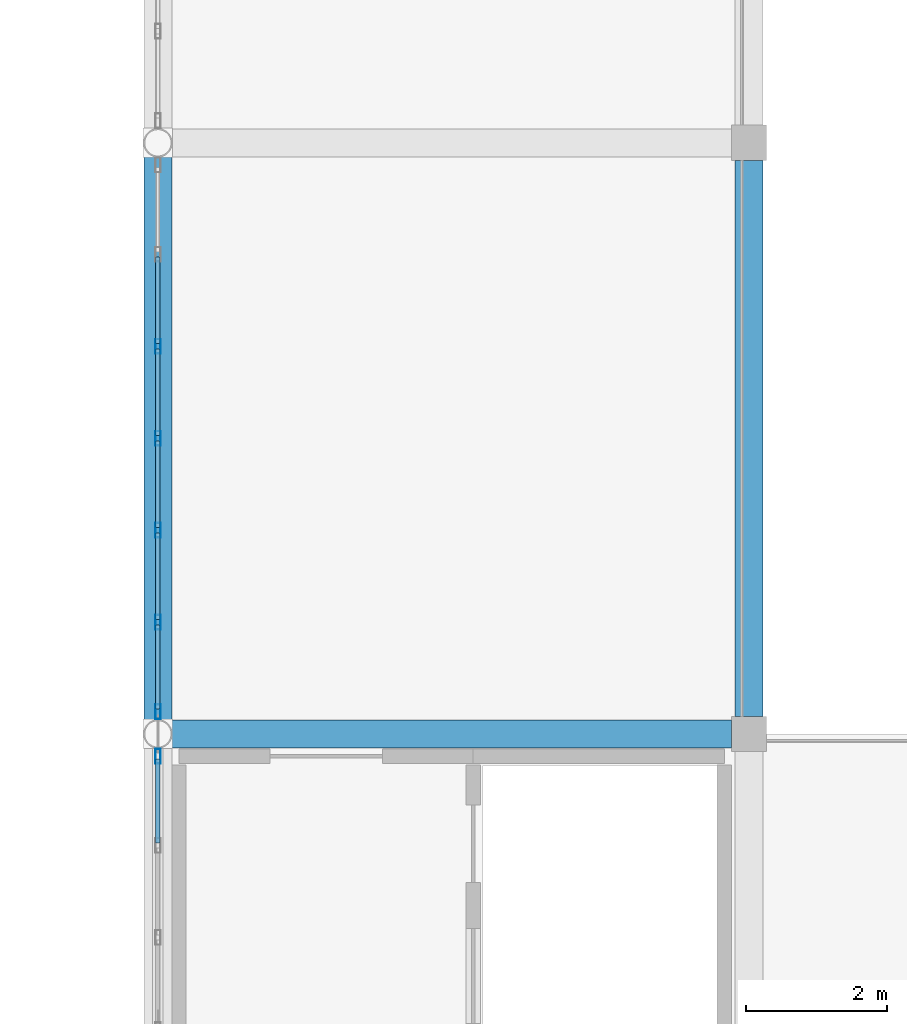
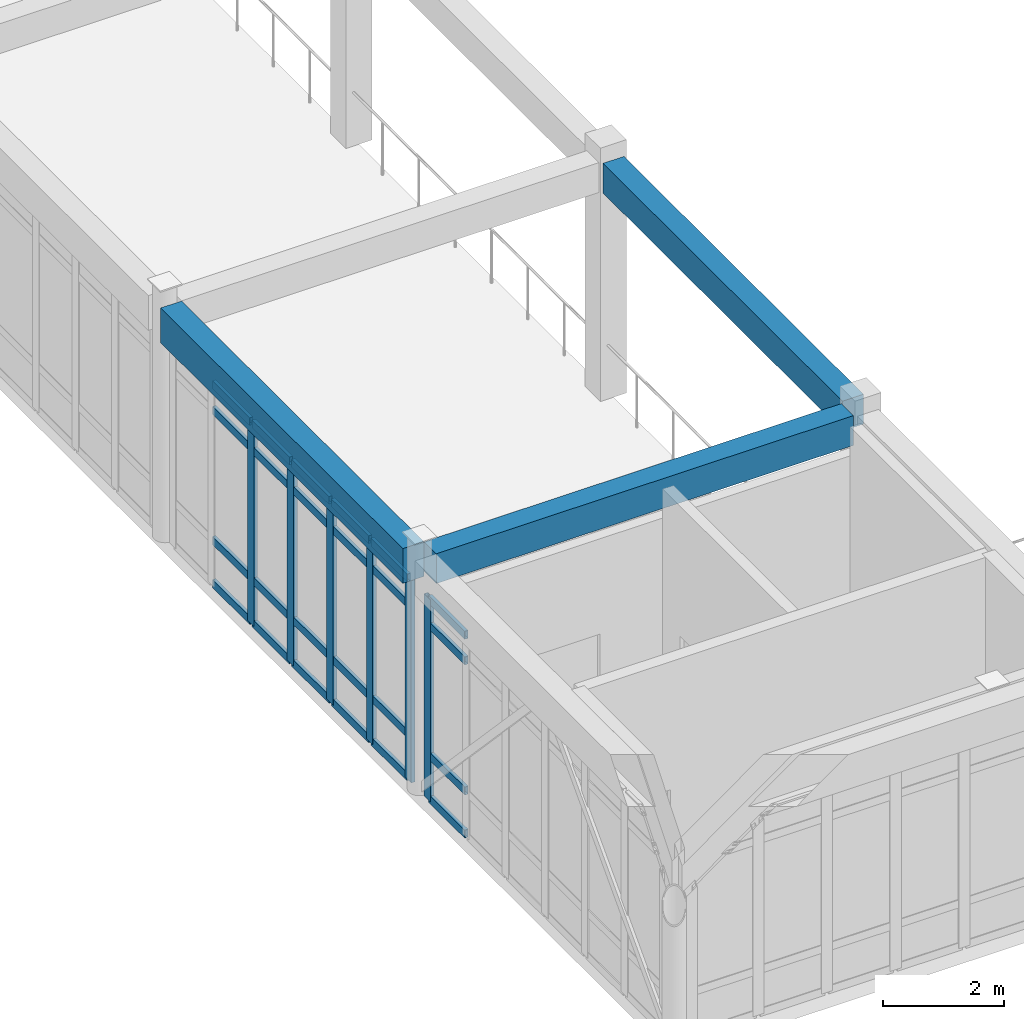
# One storey, part 11 of 134: 30 members, 3 beams, 2 elements without a shape of their own.
"""IFC4 building model written with IfcOpenShell, lengths in metres."""

from ifc_helpers import new_model, si_unit, direction, frame, origin, origin_2d, place, context, subcontext, project, spatial, rectangle, hollow_rectangle, extrude, material, layer, layer_set, material_profile, profile_set, type_object, element, aggregate, save


model = new_model("IFC4")

# Units and contexts
model_context = context("Model", 3, precision=1e-05, world=origin(), true_north=direction((0.0, 1.0)))
body_context = subcontext(model_context, "Body", "Model", "MODEL_VIEW")
ifc_project = project(units=[si_unit("LENGTHUNIT", "METRE"), si_unit("AREAUNIT", "SQUARE_METRE"), si_unit("VOLUMEUNIT", "CUBIC_METRE"), si_unit("PLANEANGLEUNIT", "RADIAN"), si_unit("MASSUNIT", "GRAM", prefix="KILO")], contexts=[model_context])

# Site, building, storey
site_placement = place(None, origin())
site = spatial("IfcSite", under=ifc_project, at=site_placement, CompositionType="ELEMENT")
building_placement = place(site_placement, origin())
building = spatial("IfcBuilding", under=site, at=building_placement, Name="Bramfleet General Hospital", CompositionType="ELEMENT")
storey_placement = place(building_placement, frame((0.0, 0.0, 9.300048828125)))
storey = spatial("IfcBuildingStorey", under=building, at=storey_placement, Name="L02", CompositionType="ELEMENT", Elevation=9.300048828125)

# Beams
ifc_material_1 = material(Name="Concrete C35/45", Category="concrete")
ifc_material_profile_1 = material_profile(ifc_material_1, rectangle(XDim=0.39990234375, YDim=0.60009765625, at=origin_2d()), Name="RC BM 600x400")
ifc_profile_set_1 = profile_set([ifc_material_profile_1], Name="Concrete C35/45")
beam_type_1 = type_object("IfcBeamType", Name="BM-RC600", PredefinedType="BEAM", material=ifc_profile_set_1)
beam_1_placement = place(storey_placement, frame((50.603271484375, 25.199951171875, 4.47998046875), z_axis=(1.0, 0.0, 0.0), x_axis=(0.0, 1.0, 0.0)))
element("IfcBeam", 1, at=beam_1_placement, inside=storey, type_object=beam_type_1, Name="L02 Grid Beam X 06-03", PredefinedType="BEAM", context=body_context, shape_type="SweptSolid", body=[
    extrude(rectangle(XDim=0.39990234375, YDim=0.60009765625, at=origin_2d()), origin(), (0.0, 0.0, 1.0), 7.94677734375),
])
beam_2_placement = place(storey_placement, frame((58.800048828125, 25.449951171875, 4.47998046875), z_axis=(0.0, 1.0, 0.0), x_axis=(-1.0, 0.0, 0.0)))
element("IfcBeam", 2, at=beam_2_placement, inside=storey, type_object=beam_type_1, Name="L02 Grid Beam Y 07-03", PredefinedType="BEAM", context=body_context, shape_type="SweptSolid", body=[
    extrude(rectangle(XDim=0.39990234375, YDim=0.60009765625, at=origin_2d()), origin(), (0.0, 0.0, 1.0), 7.900146484375),
])
ifc_material_profile_2 = material_profile(ifc_material_1, rectangle(XDim=0.39990234375, YDim=0.699951171875, at=origin_2d()), Name="RC SP 700x400")
ifc_profile_set_2 = profile_set([ifc_material_profile_2], Name="Concrete C35/45")
beam_type_2 = type_object("IfcBeamType", Name="BM-SP700", PredefinedType="SPANDREL", material=ifc_profile_set_2)
beam_3_placement = place(storey_placement, frame((50.39990234375, 25.4033203125, 4.429931640625), z_axis=(0.0, 1.0, 0.0), x_axis=(-1.0, 0.0, 0.0)))
element("IfcBeam", 3, at=beam_3_placement, inside=storey, type_object=beam_type_2, Name="L02 Grid Beam Y 06-03", PredefinedType="SPANDREL", context=body_context, shape_type="SweptSolid", body=[
    extrude(rectangle(XDim=0.39990234375, YDim=0.699951171875, at=origin_2d()), origin(), (0.0, 0.0, 1.0), 7.993408203125),
])

# Curtain wall, member
ifc_material_2 = material(Name="Anodised aluminium and low-E triple glazing", Category="aluminium")
ifc_layer_1 = layer(ifc_material_2, 0.179931640625, Name="CWT-CW-08")
ifc_layer_set_1 = layer_set([ifc_layer_1], Name="Anodised aluminium and low-E triple glazing")
curtain_wall_type_1 = type_object("IfcCurtainWallType", Name="CWT-CW-08", PredefinedType="USERDEFINED", material=ifc_layer_set_1)
curtain_wall_1_placement = place(storey_placement, origin())
curtain_wall_1 = element("IfcCurtainWall", 4, at=curtain_wall_1_placement, inside=storey, type_object=curtain_wall_type_1, Name="L02 Curtain Wall 134", ObjectType="Unitised curtain wall", PredefinedType="USERDEFINED")
ifc_material_3 = material(Name="Anodised aluminium EN AW-6060", Category="aluminium")
ifc_material_profile_3 = material_profile(ifc_material_3, hollow_rectangle(XDim=0.074951171875, YDim=0.2099609375, WallThickness=0.00439453125, at=origin_2d()), Name="ALU 210x75x4.5")
ifc_profile_set_3 = profile_set([ifc_material_profile_3], Name="Anodised aluminium EN AW-6060")
member_type_1 = type_object("IfcMemberType", Name="CWM-ALU210", PredefinedType="MULLION", material=ifc_profile_set_3)
member_1_placement = place(storey_placement, frame((50.39990234375, 24.884521484375, 0.0), z_axis=(0.0, 0.0, 1.0), x_axis=(-1.0, 0.0, 0.0)))
member_1 = element("IfcMember", 5, at=member_1_placement, type_object=member_type_1, Name="CW-08 mullion 7", PredefinedType="MULLION", context=body_context, shape_type="SweptSolid", body=[
    extrude(hollow_rectangle(XDim=0.074951171875, YDim=0.2099609375, WallThickness=0.00439453125, at=origin_2d()), origin(), (0.0, 0.0, 1.0), 4.070068359375),
])

# Curtain wall, members
ifc_layer_2 = layer(ifc_material_2, 0.179931640625, Name="CWT-CW-09")
ifc_layer_set_2 = layer_set([ifc_layer_2], Name="Anodised aluminium and low-E triple glazing")
curtain_wall_type_2 = type_object("IfcCurtainWallType", Name="CWT-CW-09", PredefinedType="USERDEFINED", material=ifc_layer_set_2)
curtain_wall_2_placement = place(storey_placement, origin())
curtain_wall_2 = element("IfcCurtainWall", 6, at=curtain_wall_2_placement, inside=storey, type_object=curtain_wall_type_2, Name="L02 Curtain Wall 135", ObjectType="Unitised curtain wall", PredefinedType="USERDEFINED")
member_2_placement = place(storey_placement, frame((50.39990234375, 25.515380859375, 0.0), z_axis=(0.0, 0.0, 1.0), x_axis=(-1.0, 0.0, 0.0)))
member_2 = element("IfcMember", 7, at=member_2_placement, type_object=member_type_1, Name="CW-09 mullion 1", PredefinedType="MULLION", context=body_context, shape_type="SweptSolid", body=[
    extrude(hollow_rectangle(XDim=0.074951171875, YDim=0.2099609375, WallThickness=0.00439453125, at=origin_2d()), origin(), (0.0, 0.0, 1.0), 4.070068359375),
])
member_3_placement = place(storey_placement, frame((50.39990234375, 26.785400390625, 0.0), z_axis=(0.0, 0.0, 1.0), x_axis=(-1.0, 0.0, 0.0)))
member_3 = element("IfcMember", 8, at=member_3_placement, type_object=member_type_1, Name="CW-09 mullion 2", PredefinedType="MULLION", context=body_context, shape_type="SweptSolid", body=[
    extrude(hollow_rectangle(XDim=0.074951171875, YDim=0.2099609375, WallThickness=0.00439453125, at=origin_2d()), origin(), (0.0, 0.0, 1.0), 4.070068359375),
])
member_4_placement = place(storey_placement, frame((50.39990234375, 28.0927734375, 0.0), z_axis=(0.0, 0.0, 1.0), x_axis=(-1.0, 0.0, 0.0)))
member_4 = element("IfcMember", 9, at=member_4_placement, type_object=member_type_1, Name="CW-09 mullion 3", PredefinedType="MULLION", context=body_context, shape_type="SweptSolid", body=[
    extrude(hollow_rectangle(XDim=0.074951171875, YDim=0.2099609375, WallThickness=0.00439453125, at=origin_2d()), origin(), (0.0, 0.0, 1.0), 4.070068359375),
])
member_5_placement = place(storey_placement, frame((50.39990234375, 29.39990234375, 0.0), z_axis=(0.0, 0.0, 1.0), x_axis=(-1.0, 0.0, 0.0)))
member_5 = element("IfcMember", 10, at=member_5_placement, type_object=member_type_1, Name="CW-09 mullion 4", PredefinedType="MULLION", context=body_context, shape_type="SweptSolid", body=[
    extrude(hollow_rectangle(XDim=0.074951171875, YDim=0.2099609375, WallThickness=0.00439453125, at=origin_2d()), origin(), (0.0, 0.0, 1.0), 4.070068359375),
])
member_6_placement = place(storey_placement, frame((50.39990234375, 30.707275390625, 0.0), z_axis=(0.0, 0.0, 1.0), x_axis=(-1.0, 0.0, 0.0)))
member_6 = element("IfcMember", 11, at=member_6_placement, type_object=member_type_1, Name="CW-09 mullion 5", PredefinedType="MULLION", context=body_context, shape_type="SweptSolid", body=[
    extrude(hollow_rectangle(XDim=0.074951171875, YDim=0.2099609375, WallThickness=0.00439453125, at=origin_2d()), origin(), (0.0, 0.0, 1.0), 4.070068359375),
])

# Member
ifc_material_profile_4 = material_profile(ifc_material_3, hollow_rectangle(XDim=0.06494140625, YDim=0.159912109375, WallThickness=0.00390625, at=origin_2d()), Name="ALU 160x65x4.0")
ifc_profile_set_4 = profile_set([ifc_material_profile_4], Name="Anodised aluminium EN AW-6060")
member_type_2 = type_object("IfcMemberType", Name="CWT-ALU160", PredefinedType="USERDEFINED", material=ifc_profile_set_4)
member_7_placement = place(storey_placement, frame((50.39990234375, 23.652099609375, 0.032470703125), z_axis=(0.0, 1.0, 0.0), x_axis=(-1.0, 0.0, 0.0)))
member_7 = element("IfcMember", 12, at=member_7_placement, type_object=member_type_2, Name="CW-08 transom 6.1", ObjectType="TRANSOM", PredefinedType="USERDEFINED", context=body_context, shape_type="SweptSolid", body=[
    extrude(hollow_rectangle(XDim=0.06494140625, YDim=0.159912109375, WallThickness=0.00390625, at=origin_2d()), origin(), (0.0, 0.0, 1.0), 1.19482421875),
])

member_8_placement = place(storey_placement, frame((50.39990234375, 23.652099609375, 0.89990234375), z_axis=(0.0, 1.0, 0.0), x_axis=(-1.0, 0.0, 0.0)))
member_8 = element("IfcMember", 13, at=member_8_placement, type_object=member_type_2, Name="CW-08 transom 6.2", ObjectType="TRANSOM", PredefinedType="USERDEFINED", context=body_context, shape_type="SweptSolid", body=[
    extrude(hollow_rectangle(XDim=0.06494140625, YDim=0.159912109375, WallThickness=0.00390625, at=origin_2d()), origin(), (0.0, 0.0, 1.0), 1.19482421875),
])

member_9_placement = place(storey_placement, frame((50.39990234375, 23.652099609375, 3.52001953125), z_axis=(0.0, 1.0, 0.0), x_axis=(-1.0, 0.0, 0.0)))
member_9 = element("IfcMember", 14, at=member_9_placement, type_object=member_type_2, Name="CW-08 transom 6.3", ObjectType="TRANSOM", PredefinedType="USERDEFINED", context=body_context, shape_type="SweptSolid", body=[
    extrude(hollow_rectangle(XDim=0.06494140625, YDim=0.159912109375, WallThickness=0.00390625, at=origin_2d()), origin(), (0.0, 0.0, 1.0), 1.19482421875),
])

member_10_placement = place(storey_placement, frame((50.39990234375, 23.652099609375, 4.037353515625), z_axis=(0.0, 1.0, 0.0), x_axis=(-1.0, 0.0, 0.0)))
member_10 = element("IfcMember", 15, at=member_10_placement, type_object=member_type_2, Name="CW-08 transom 6.4", ObjectType="TRANSOM", PredefinedType="USERDEFINED", context=body_context, shape_type="SweptSolid", body=[
    extrude(hollow_rectangle(XDim=0.06494140625, YDim=0.159912109375, WallThickness=0.00390625, at=origin_2d()), origin(), (0.0, 0.0, 1.0), 1.19482421875),
])

aggregate(curtain_wall_1, [member_1, member_7, member_8, member_9, member_10])

member_11_placement = place(storey_placement, frame((50.39990234375, 25.552978515625, 0.032470703125), z_axis=(0.0, 1.0, 0.0), x_axis=(-1.0, 0.0, 0.0)))
member_11 = element("IfcMember", 16, at=member_11_placement, type_object=member_type_2, Name="CW-09 transom 1.1", ObjectType="TRANSOM", PredefinedType="USERDEFINED", context=body_context, shape_type="SweptSolid", body=[
    extrude(hollow_rectangle(XDim=0.06494140625, YDim=0.159912109375, WallThickness=0.00390625, at=origin_2d()), origin(), (0.0, 0.0, 1.0), 1.19482421875),
])

member_12_placement = place(storey_placement, frame((50.39990234375, 25.552978515625, 0.89990234375), z_axis=(0.0, 1.0, 0.0), x_axis=(-1.0, 0.0, 0.0)))
member_12 = element("IfcMember", 17, at=member_12_placement, type_object=member_type_2, Name="CW-09 transom 1.2", ObjectType="TRANSOM", PredefinedType="USERDEFINED", context=body_context, shape_type="SweptSolid", body=[
    extrude(hollow_rectangle(XDim=0.06494140625, YDim=0.159912109375, WallThickness=0.00390625, at=origin_2d()), origin(), (0.0, 0.0, 1.0), 1.19482421875),
])

member_13_placement = place(storey_placement, frame((50.39990234375, 25.552978515625, 3.52001953125), z_axis=(0.0, 1.0, 0.0), x_axis=(-1.0, 0.0, 0.0)))
member_13 = element("IfcMember", 18, at=member_13_placement, type_object=member_type_2, Name="CW-09 transom 1.3", ObjectType="TRANSOM", PredefinedType="USERDEFINED", context=body_context, shape_type="SweptSolid", body=[
    extrude(hollow_rectangle(XDim=0.06494140625, YDim=0.159912109375, WallThickness=0.00390625, at=origin_2d()), origin(), (0.0, 0.0, 1.0), 1.19482421875),
])

member_14_placement = place(storey_placement, frame((50.39990234375, 25.552978515625, 4.037353515625), z_axis=(0.0, 1.0, 0.0), x_axis=(-1.0, 0.0, 0.0)))
member_14 = element("IfcMember", 19, at=member_14_placement, type_object=member_type_2, Name="CW-09 transom 1.4", ObjectType="TRANSOM", PredefinedType="USERDEFINED", context=body_context, shape_type="SweptSolid", body=[
    extrude(hollow_rectangle(XDim=0.06494140625, YDim=0.159912109375, WallThickness=0.00390625, at=origin_2d()), origin(), (0.0, 0.0, 1.0), 1.19482421875),
])

member_15_placement = place(storey_placement, frame((50.39990234375, 26.82275390625, 0.032470703125), z_axis=(0.0, 1.0, 0.0), x_axis=(-1.0, 0.0, 0.0)))
member_15 = element("IfcMember", 20, at=member_15_placement, type_object=member_type_2, Name="CW-09 transom 2.1", ObjectType="TRANSOM", PredefinedType="USERDEFINED", context=body_context, shape_type="SweptSolid", body=[
    extrude(hollow_rectangle(XDim=0.06494140625, YDim=0.159912109375, WallThickness=0.00390625, at=origin_2d()), origin(), (0.0, 0.0, 1.0), 1.232421875),
])

member_16_placement = place(storey_placement, frame((50.39990234375, 26.82275390625, 0.89990234375), z_axis=(0.0, 1.0, 0.0), x_axis=(-1.0, 0.0, 0.0)))
member_16 = element("IfcMember", 21, at=member_16_placement, type_object=member_type_2, Name="CW-09 transom 2.2", ObjectType="TRANSOM", PredefinedType="USERDEFINED", context=body_context, shape_type="SweptSolid", body=[
    extrude(hollow_rectangle(XDim=0.06494140625, YDim=0.159912109375, WallThickness=0.00390625, at=origin_2d()), origin(), (0.0, 0.0, 1.0), 1.232421875),
])

member_17_placement = place(storey_placement, frame((50.39990234375, 26.82275390625, 3.52001953125), z_axis=(0.0, 1.0, 0.0), x_axis=(-1.0, 0.0, 0.0)))
member_17 = element("IfcMember", 22, at=member_17_placement, type_object=member_type_2, Name="CW-09 transom 2.3", ObjectType="TRANSOM", PredefinedType="USERDEFINED", context=body_context, shape_type="SweptSolid", body=[
    extrude(hollow_rectangle(XDim=0.06494140625, YDim=0.159912109375, WallThickness=0.00390625, at=origin_2d()), origin(), (0.0, 0.0, 1.0), 1.232421875),
])

member_18_placement = place(storey_placement, frame((50.39990234375, 26.82275390625, 4.037353515625), z_axis=(0.0, 1.0, 0.0), x_axis=(-1.0, 0.0, 0.0)))
member_18 = element("IfcMember", 23, at=member_18_placement, type_object=member_type_2, Name="CW-09 transom 2.4", ObjectType="TRANSOM", PredefinedType="USERDEFINED", context=body_context, shape_type="SweptSolid", body=[
    extrude(hollow_rectangle(XDim=0.06494140625, YDim=0.159912109375, WallThickness=0.00390625, at=origin_2d()), origin(), (0.0, 0.0, 1.0), 1.232421875),
])

member_19_placement = place(storey_placement, frame((50.39990234375, 28.130126953125, 0.032470703125), z_axis=(0.0, 1.0, 0.0), x_axis=(-1.0, 0.0, 0.0)))
member_19 = element("IfcMember", 24, at=member_19_placement, type_object=member_type_2, Name="CW-09 transom 3.1", ObjectType="TRANSOM", PredefinedType="USERDEFINED", context=body_context, shape_type="SweptSolid", body=[
    extrude(hollow_rectangle(XDim=0.06494140625, YDim=0.159912109375, WallThickness=0.00390625, at=origin_2d()), origin(), (0.0, 0.0, 1.0), 1.232421875),
])

member_20_placement = place(storey_placement, frame((50.39990234375, 28.130126953125, 0.89990234375), z_axis=(0.0, 1.0, 0.0), x_axis=(-1.0, 0.0, 0.0)))
member_20 = element("IfcMember", 25, at=member_20_placement, type_object=member_type_2, Name="CW-09 transom 3.2", ObjectType="TRANSOM", PredefinedType="USERDEFINED", context=body_context, shape_type="SweptSolid", body=[
    extrude(hollow_rectangle(XDim=0.06494140625, YDim=0.159912109375, WallThickness=0.00390625, at=origin_2d()), origin(), (0.0, 0.0, 1.0), 1.232421875),
])

member_21_placement = place(storey_placement, frame((50.39990234375, 28.130126953125, 3.52001953125), z_axis=(0.0, 1.0, 0.0), x_axis=(-1.0, 0.0, 0.0)))
member_21 = element("IfcMember", 26, at=member_21_placement, type_object=member_type_2, Name="CW-09 transom 3.3", ObjectType="TRANSOM", PredefinedType="USERDEFINED", context=body_context, shape_type="SweptSolid", body=[
    extrude(hollow_rectangle(XDim=0.06494140625, YDim=0.159912109375, WallThickness=0.00390625, at=origin_2d()), origin(), (0.0, 0.0, 1.0), 1.232421875),
])

member_22_placement = place(storey_placement, frame((50.39990234375, 28.130126953125, 4.037353515625), z_axis=(0.0, 1.0, 0.0), x_axis=(-1.0, 0.0, 0.0)))
member_22 = element("IfcMember", 27, at=member_22_placement, type_object=member_type_2, Name="CW-09 transom 3.4", ObjectType="TRANSOM", PredefinedType="USERDEFINED", context=body_context, shape_type="SweptSolid", body=[
    extrude(hollow_rectangle(XDim=0.06494140625, YDim=0.159912109375, WallThickness=0.00390625, at=origin_2d()), origin(), (0.0, 0.0, 1.0), 1.232421875),
])

member_23_placement = place(storey_placement, frame((50.39990234375, 29.4375, 0.032470703125), z_axis=(0.0, 1.0, 0.0), x_axis=(-1.0, 0.0, 0.0)))
member_23 = element("IfcMember", 28, at=member_23_placement, type_object=member_type_2, Name="CW-09 transom 4.1", ObjectType="TRANSOM", PredefinedType="USERDEFINED", context=body_context, shape_type="SweptSolid", body=[
    extrude(hollow_rectangle(XDim=0.06494140625, YDim=0.159912109375, WallThickness=0.00390625, at=origin_2d()), origin(), (0.0, 0.0, 1.0), 1.232421875),
])

member_24_placement = place(storey_placement, frame((50.39990234375, 29.4375, 0.89990234375), z_axis=(0.0, 1.0, 0.0), x_axis=(-1.0, 0.0, 0.0)))
member_24 = element("IfcMember", 29, at=member_24_placement, type_object=member_type_2, Name="CW-09 transom 4.2", ObjectType="TRANSOM", PredefinedType="USERDEFINED", context=body_context, shape_type="SweptSolid", body=[
    extrude(hollow_rectangle(XDim=0.06494140625, YDim=0.159912109375, WallThickness=0.00390625, at=origin_2d()), origin(), (0.0, 0.0, 1.0), 1.232421875),
])

member_25_placement = place(storey_placement, frame((50.39990234375, 29.4375, 3.52001953125), z_axis=(0.0, 1.0, 0.0), x_axis=(-1.0, 0.0, 0.0)))
member_25 = element("IfcMember", 30, at=member_25_placement, type_object=member_type_2, Name="CW-09 transom 4.3", ObjectType="TRANSOM", PredefinedType="USERDEFINED", context=body_context, shape_type="SweptSolid", body=[
    extrude(hollow_rectangle(XDim=0.06494140625, YDim=0.159912109375, WallThickness=0.00390625, at=origin_2d()), origin(), (0.0, 0.0, 1.0), 1.232421875),
])

member_26_placement = place(storey_placement, frame((50.39990234375, 29.4375, 4.037353515625), z_axis=(0.0, 1.0, 0.0), x_axis=(-1.0, 0.0, 0.0)))
member_26 = element("IfcMember", 31, at=member_26_placement, type_object=member_type_2, Name="CW-09 transom 4.4", ObjectType="TRANSOM", PredefinedType="USERDEFINED", context=body_context, shape_type="SweptSolid", body=[
    extrude(hollow_rectangle(XDim=0.06494140625, YDim=0.159912109375, WallThickness=0.00390625, at=origin_2d()), origin(), (0.0, 0.0, 1.0), 1.232421875),
])

member_27_placement = place(storey_placement, frame((50.39990234375, 30.744873046875, 0.032470703125), z_axis=(0.0, 1.0, 0.0), x_axis=(-1.0, 0.0, 0.0)))
member_27 = element("IfcMember", 32, at=member_27_placement, type_object=member_type_2, Name="CW-09 transom 5.1", ObjectType="TRANSOM", PredefinedType="USERDEFINED", context=body_context, shape_type="SweptSolid", body=[
    extrude(hollow_rectangle(XDim=0.06494140625, YDim=0.159912109375, WallThickness=0.00390625, at=origin_2d()), origin(), (0.0, 0.0, 1.0), 1.232177734375),
])

member_28_placement = place(storey_placement, frame((50.39990234375, 30.744873046875, 0.89990234375), z_axis=(0.0, 1.0, 0.0), x_axis=(-1.0, 0.0, 0.0)))
member_28 = element("IfcMember", 33, at=member_28_placement, type_object=member_type_2, Name="CW-09 transom 5.2", ObjectType="TRANSOM", PredefinedType="USERDEFINED", context=body_context, shape_type="SweptSolid", body=[
    extrude(hollow_rectangle(XDim=0.06494140625, YDim=0.159912109375, WallThickness=0.00390625, at=origin_2d()), origin(), (0.0, 0.0, 1.0), 1.232177734375),
])

member_29_placement = place(storey_placement, frame((50.39990234375, 30.744873046875, 3.52001953125), z_axis=(0.0, 1.0, 0.0), x_axis=(-1.0, 0.0, 0.0)))
member_29 = element("IfcMember", 34, at=member_29_placement, type_object=member_type_2, Name="CW-09 transom 5.3", ObjectType="TRANSOM", PredefinedType="USERDEFINED", context=body_context, shape_type="SweptSolid", body=[
    extrude(hollow_rectangle(XDim=0.06494140625, YDim=0.159912109375, WallThickness=0.00390625, at=origin_2d()), origin(), (0.0, 0.0, 1.0), 1.232177734375),
])

member_30_placement = place(storey_placement, frame((50.39990234375, 30.744873046875, 4.037353515625), z_axis=(0.0, 1.0, 0.0), x_axis=(-1.0, 0.0, 0.0)))
member_30 = element("IfcMember", 35, at=member_30_placement, type_object=member_type_2, Name="CW-09 transom 5.4", ObjectType="TRANSOM", PredefinedType="USERDEFINED", context=body_context, shape_type="SweptSolid", body=[
    extrude(hollow_rectangle(XDim=0.06494140625, YDim=0.159912109375, WallThickness=0.00390625, at=origin_2d()), origin(), (0.0, 0.0, 1.0), 1.232177734375),
])

aggregate(curtain_wall_2, [member_2, member_3, member_4, member_5, member_6, member_11, member_12, member_13, member_14, member_15, member_16, member_17, member_18, member_19, member_20, member_21, member_22, member_23, member_24, member_25, member_26, member_27, member_28, member_29, member_30])

save(model, "model.ifc")
